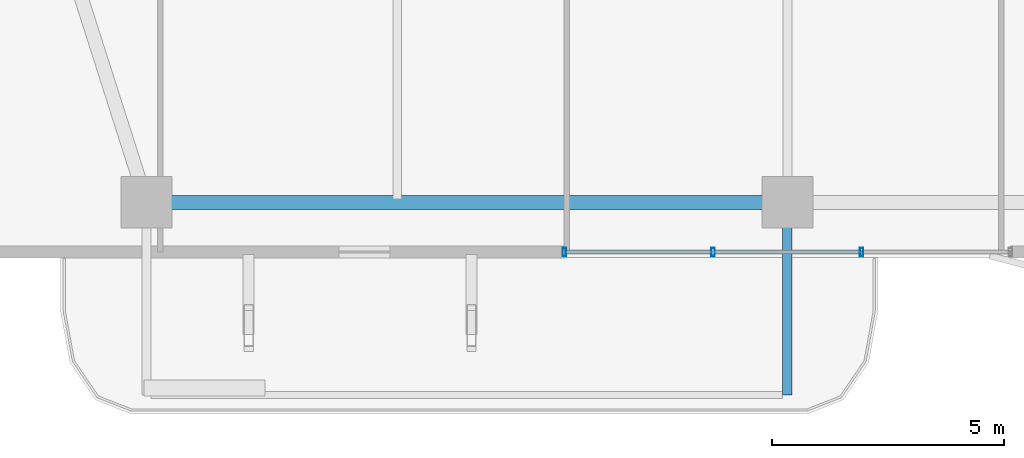
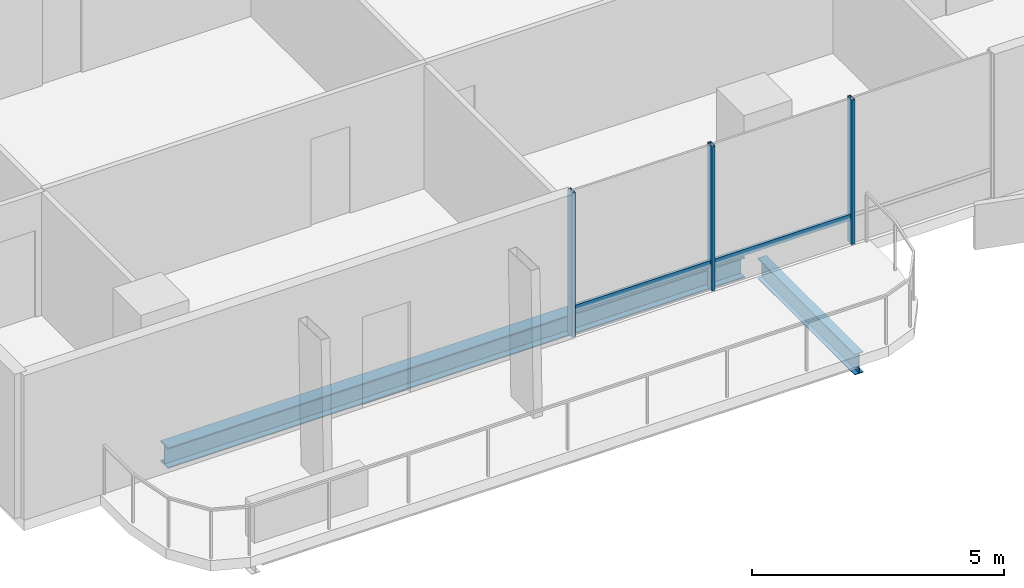
# One storey, part 2 of 25: 5 members, 2 beams, 1 element without a shape of its own.
"""IFC4 building model written with IfcOpenShell, lengths in metres."""

from ifc_helpers import new_model, si_unit, direction, frame, origin, origin_2d, place, context, subcontext, project, spatial, hollow_rectangle, i_section, extrude, material, layer, layer_set, material_profile, profile_set, type_object, element, aggregate, save


model = new_model("IFC4")

# Units and contexts
model_context = context("Model", 3, precision=1e-05, world=origin(), true_north=direction((0.0, 1.0)))
body_context = subcontext(model_context, "Body", "Model", "MODEL_VIEW")
ifc_project = project(units=[si_unit("LENGTHUNIT", "METRE"), si_unit("AREAUNIT", "SQUARE_METRE"), si_unit("VOLUMEUNIT", "CUBIC_METRE"), si_unit("PLANEANGLEUNIT", "RADIAN"), si_unit("MASSUNIT", "GRAM", prefix="KILO")], contexts=[model_context])

# Site, building, storey
site_placement = place(None, origin())
site = spatial("IfcSite", under=ifc_project, at=site_placement, CompositionType="ELEMENT")
building_placement = place(site_placement, origin())
building = spatial("IfcBuilding", under=site, at=building_placement, Name="Belovzor Exchange Tower", CompositionType="ELEMENT")
storey_placement = place(building_placement, frame((0.0, 0.0, 149.550048828125)))
storey = spatial("IfcBuildingStorey", under=building, at=storey_placement, Name="L36", CompositionType="ELEMENT", Elevation=149.550048828125)

# Beam
ifc_material_1 = material(Name="Steel S355", Category="steel")
ifc_material_profile_1 = material_profile(ifc_material_1, i_section(OverallWidth=0.199951171875, OverallDepth=0.5, WebThickness=0.01025390625, FlangeThickness=0.01611328125, at=origin_2d()))
ifc_profile_set_1 = profile_set([ifc_material_profile_1], Name="Steel S355")
beam_type_1 = type_object("IfcBeamType", Name="Planted Balcony Cantilever Beam IPE 500", PredefinedType="BEAM", material=ifc_profile_set_1)
beam_1_placement = place(storey_placement, frame((28.800048828125, 5.39697265625, -0.505126953125), z_axis=(0.0, -1.0, 0.0), x_axis=(1.0, 0.0, 0.0)))
element("IfcBeam", 1, at=beam_1_placement, inside=storey, type_object=beam_type_1, Name="BC-500 Planted Balcony Cantilever Beam IPE 500", PredefinedType="BEAM", context=body_context, shape_type="SweptSolid", body=[
    extrude(i_section(OverallWidth=0.199951171875, OverallDepth=0.5, WebThickness=0.01025390625, FlangeThickness=0.01611328125, at=origin_2d()), origin(), (0.0, 0.0, 1.0), 3.849853515625),
])

# Curtain wall, members
ifc_material_2 = material(Name="Anodised Aluminium Framing", Category="aluminium")
ifc_layer = layer(ifc_material_2, 0.179931640625)
ifc_layer_set = layer_set([ifc_layer], Name="Anodised Aluminium Framing")
curtain_wall_type = type_object("IfcCurtainWallType", Name="Recessed Loggia Low-Iron Triple-Glazed Curtain Wall", PredefinedType="NOTDEFINED", material=ifc_layer_set)
curtain_wall_placement = place(storey_placement, origin())
curtain_wall = element("IfcCurtainWall", 2, at=curtain_wall_placement, inside=storey, type_object=curtain_wall_type, Name="CW3 Recessed Loggia Low-Iron Triple-Glazed Curtain Wall L36", PredefinedType="NOTDEFINED")
ifc_material_3 = material(Name="Steel S355", Category="steel")
ifc_material_profile_2 = material_profile(ifc_material_3, hollow_rectangle(XDim=0.074951171875, YDim=0.179931640625, WallThickness=0.0048828125, at=origin_2d()))
ifc_profile_set_2 = profile_set([ifc_material_profile_2], Name="Steel S355")
member_type_1 = type_object("IfcMemberType", Name="Thermally Broken Curtain Wall Mullion 180x75", PredefinedType="MULLION", material=ifc_profile_set_2)
member_1_placement = place(storey_placement, frame((30.39990234375, 4.6298828125, 0.0), z_axis=(0.0, 0.0, 1.0), x_axis=(-1.0, 0.0, 0.0)))
member_1 = element("IfcMember", 3, at=member_1_placement, type_object=member_type_1, Name="CW-M180 Curtain Wall Mullion 2", PredefinedType="MULLION", context=body_context, shape_type="SweptSolid", body=[
    extrude(hollow_rectangle(XDim=0.074951171875, YDim=0.179931640625, WallThickness=0.0048828125, at=origin_2d()), origin(), (0.0, 0.0, 1.0), 3.494873046875),
])
member_2_placement = place(storey_placement, frame((27.199951171875, 4.6298828125, 0.0), z_axis=(0.0, 0.0, 1.0), x_axis=(-1.0, 0.0, 0.0)))
member_2 = element("IfcMember", 4, at=member_2_placement, type_object=member_type_1, Name="CW-M180 Curtain Wall Mullion 3", PredefinedType="MULLION", context=body_context, shape_type="SweptSolid", body=[
    extrude(hollow_rectangle(XDim=0.074951171875, YDim=0.179931640625, WallThickness=0.0048828125, at=origin_2d()), origin(), (0.0, 0.0, 1.0), 3.494873046875),
])
member_3_placement = place(storey_placement, frame((24.0, 4.6298828125, 0.0), z_axis=(0.0, 0.0, 1.0), x_axis=(-1.0, 0.0, 0.0)))
member_3 = element("IfcMember", 5, at=member_3_placement, type_object=member_type_1, Name="CW-M180 Curtain Wall Mullion 4", PredefinedType="MULLION", context=body_context, shape_type="SweptSolid", body=[
    extrude(hollow_rectangle(XDim=0.074951171875, YDim=0.179931640625, WallThickness=0.0048828125, at=origin_2d()), origin(), (0.0, 0.0, 1.0), 3.494873046875),
])
ifc_material_4 = material(Name="Steel S355", Category="steel")
ifc_material_profile_3 = material_profile(ifc_material_4, hollow_rectangle(XDim=0.06005859375, YDim=0.14990234375, WallThickness=0.00390625, at=origin_2d()))
ifc_profile_set_3 = profile_set([ifc_material_profile_3], Name="Steel S355")
member_type_2 = type_object("IfcMemberType", Name="Thermally Broken Curtain Wall Transom 150x60", PredefinedType="USERDEFINED", material=ifc_profile_set_3)
member_4_placement = place(storey_placement, frame((30.39208984375, 4.6298828125, 0.62890625), z_axis=(-1.0, 0.0, 0.0), x_axis=(0.0, -1.0, 0.0)))
member_4 = element("IfcMember", 6, at=member_4_placement, type_object=member_type_2, Name="CW-T150 Curtain Wall Transom 2", ObjectType="TRANSOM", PredefinedType="USERDEFINED", context=body_context, shape_type="SweptSolid", body=[
    extrude(hollow_rectangle(XDim=0.06005859375, YDim=0.14990234375, WallThickness=0.00390625, at=origin_2d()), origin(), (0.0, 0.0, 1.0), 3.18408203125),
])
member_5_placement = place(storey_placement, frame((27.19189453125, 4.6298828125, 0.62890625), z_axis=(-1.0, 0.0, 0.0), x_axis=(0.0, -1.0, 0.0)))
member_5 = element("IfcMember", 7, at=member_5_placement, type_object=member_type_2, Name="CW-T150 Curtain Wall Transom 3", ObjectType="TRANSOM", PredefinedType="USERDEFINED", context=body_context, shape_type="SweptSolid", body=[
    extrude(hollow_rectangle(XDim=0.06005859375, YDim=0.14990234375, WallThickness=0.00390625, at=origin_2d()), origin(), (0.0, 0.0, 1.0), 3.183837890625),
])
aggregate(curtain_wall, [member_1, member_2, member_3, member_4, member_5])

# Beam
ifc_material_5 = material(Name="Steel S355", Category="steel")
ifc_material_profile_4 = material_profile(ifc_material_5, i_section(OverallWidth=0.300048828125, OverallDepth=0.5, WebThickness=0.014404296875, FlangeThickness=0.028076171875, at=origin_2d()))
ifc_profile_set_4 = profile_set([ifc_material_profile_4], Name="Steel S355")
beam_type_2 = type_object("IfcBeamType", Name="Zone 3 Waist Primary Girder HEB 500", PredefinedType="BEAM", material=ifc_profile_set_4)
beam_2_placement = place(storey_placement, frame((15.302978515625, 5.699951171875, -0.505126953125), z_axis=(1.0, 0.0, 0.0), x_axis=(0.0, 1.0, 0.0)))
element("IfcBeam", 8, at=beam_2_placement, inside=storey, type_object=beam_type_2, Name="FG-Z3 Zone 3 Waist Primary Girder HEB 500", PredefinedType="BEAM", context=body_context, shape_type="SweptSolid", body=[
    extrude(i_section(OverallWidth=0.300048828125, OverallDepth=0.5, WebThickness=0.014404296875, FlangeThickness=0.028076171875, at=origin_2d()), origin(), (0.0, 0.0, 1.0), 13.195068359375),
])

save(model, "model.ifc")
